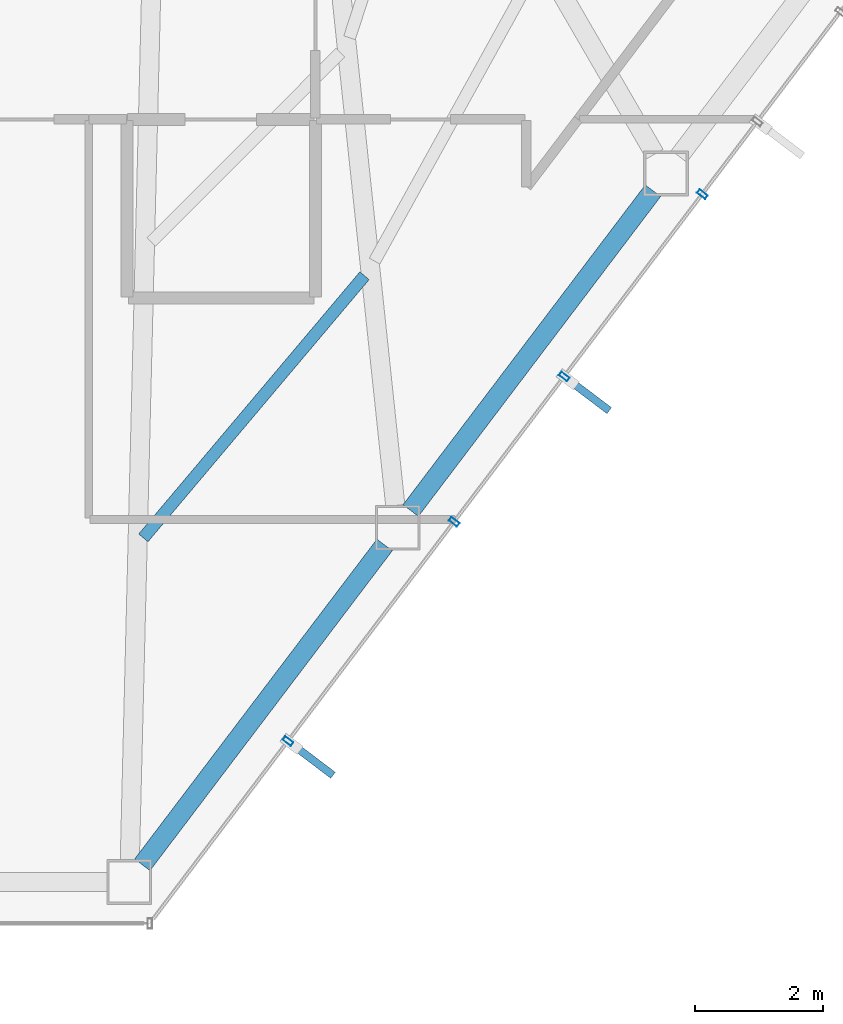
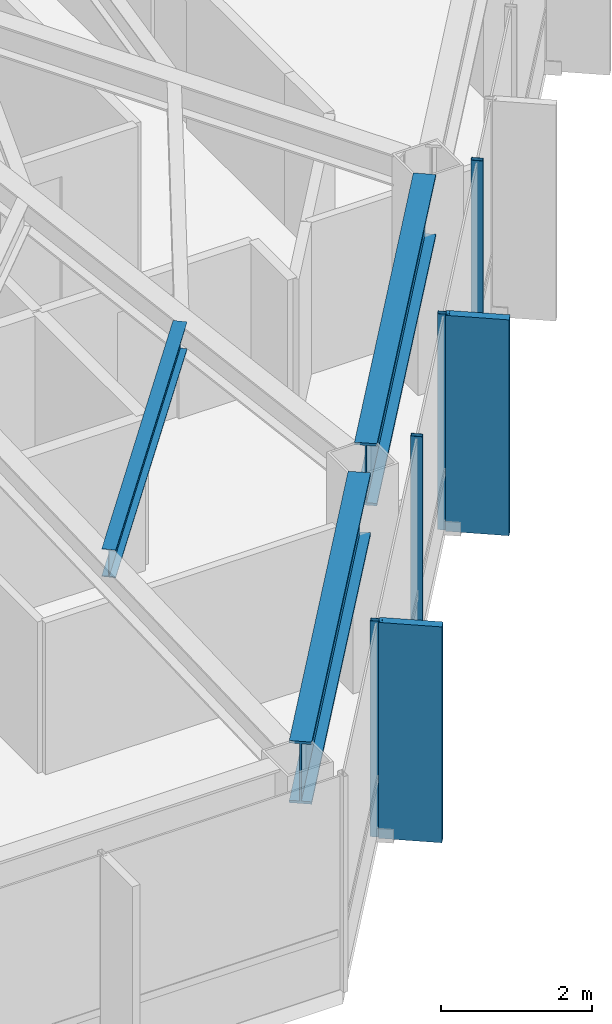
# One storey, part 16 of 27: 6 members, 3 beams, 1 element without a shape of its own.
"""IFC4 building model written with IfcOpenShell, lengths in metres."""

from ifc_helpers import new_model, si_unit, direction, frame, origin, origin_2d, place, context, subcontext, project, spatial, rectangle, hollow_rectangle, i_section, extrude, material, layer, layer_set, material_profile, profile_set, type_object, element, aggregate, save


model = new_model("IFC4")

# Units and contexts
model_context = context("Model", 3, precision=1e-05, world=origin(), true_north=direction((0.0, 1.0)))
body_context = subcontext(model_context, "Body", "Model", "MODEL_VIEW")
ifc_project = project(units=[si_unit("LENGTHUNIT", "METRE"), si_unit("AREAUNIT", "SQUARE_METRE"), si_unit("VOLUMEUNIT", "CUBIC_METRE"), si_unit("PLANEANGLEUNIT", "RADIAN"), si_unit("MASSUNIT", "GRAM", prefix="KILO")], contexts=[model_context])

# Site, building, storey
site_placement = place(None, origin())
site = spatial("IfcSite", under=ifc_project, at=site_placement, CompositionType="ELEMENT")
building_placement = place(site_placement, origin())
building = spatial("IfcBuilding", under=site, at=building_placement, Name="Zarrinselat Tower", CompositionType="ELEMENT")
storey_placement = place(building_placement, frame((0.0, 0.0, 179.52001953125)))
storey = spatial("IfcBuildingStorey", under=building, at=storey_placement, Name="L44", CompositionType="ELEMENT", Elevation=179.52001953125)

# Beams
ifc_material_1 = material(Name="Steel S460M", Category="steel")
ifc_material_profile_1 = material_profile(ifc_material_1, i_section(OverallWidth=0.302001953125, OverallDepth=1.008056640625, WebThickness=0.02099609375, FlangeThickness=0.0400390625, at=origin_2d()), Name="HEM 1000")
ifc_profile_set_1 = profile_set([ifc_material_profile_1], Name="Steel S460M")
beam_type_1 = type_object("IfcBeamType", Name="BM-HEM1000", PredefinedType="BEAM", material=ifc_profile_set_1)
beam_1_placement = place(storey_placement, frame((45.639404296875, 18.474609375, 2.99609375), z_axis=(0.603871149651, 0.797081949751, 0.0), x_axis=(-0.797081949751, 0.603871149651, 0.0)))
element("IfcBeam", 1, at=beam_1_placement, inside=storey, type_object=beam_type_1, Name="L44 Perimeter Spandrel Girder SP11", PredefinedType="BEAM", context=body_context, shape_type="SweptSolid", body=[
    extrude(i_section(OverallWidth=0.302001953125, OverallDepth=1.008056640625, WebThickness=0.02099609375, FlangeThickness=0.0400390625, at=origin_2d()), origin(), (0.0, 0.0, 1.0), 6.28515625),
])
beam_2_placement = place(storey_placement, frame((49.843017578125, 24.023193359375, 2.99609375), z_axis=(0.603840485401, 0.79710518013, 0.0), x_axis=(-0.79710518013, 0.603840485401, 0.0)))
element("IfcBeam", 2, at=beam_2_placement, inside=storey, type_object=beam_type_1, Name="L44 Perimeter Spandrel Girder SP12", PredefinedType="BEAM", context=body_context, shape_type="SweptSolid", body=[
    extrude(i_section(OverallWidth=0.302001953125, OverallDepth=1.008056640625, WebThickness=0.02099609375, FlangeThickness=0.0400390625, at=origin_2d()), origin(), (0.0, 0.0, 1.0), 6.28466796875),
])
ifc_material_2 = material(Name="Steel S355J2", Category="steel")
ifc_material_profile_2 = material_profile(ifc_material_2, i_section(OverallWidth=0.18994140625, OverallDepth=0.449951171875, WebThickness=0.009521484375, FlangeThickness=0.0146484375, at=origin_2d()), Name="IPE 450")
ifc_profile_set_2 = profile_set([ifc_material_profile_2], Name="Steel S355J2")
beam_type_2 = type_object("IfcBeamType", Name="BM-IPE450", PredefinedType="JOIST", material=ifc_profile_set_2)
beam_3_placement = place(storey_placement, frame((45.6552734375, 23.59521484375, 3.27490234375), z_axis=(0.644870109689, 0.764292183416, 0.0), x_axis=(-0.764292183416, 0.644870109689, 0.0)))
element("IfcBeam", 3, at=beam_3_placement, inside=storey, type_object=beam_type_2, Name="L44 Composite Floor Joist 3-1", PredefinedType="JOIST", context=body_context, shape_type="SweptSolid", body=[
    extrude(i_section(OverallWidth=0.18994140625, OverallDepth=0.449951171875, WebThickness=0.009521484375, FlangeThickness=0.0146484375, at=origin_2d()), origin(), (0.0, 0.0, 1.0), 5.37255859375),
])

# Curtain wall, members
ifc_material_3 = material(Name="Extruded Aluminium Alloy EN AW-6063 T6", Category="aluminium")
ifc_layer = layer(ifc_material_3, 0.175048828125)
ifc_layer_set = layer_set([ifc_layer], Name="Extruded Aluminium Alloy EN AW-6063 T6")
curtain_wall_type = type_object("IfcCurtainWallType", Name="CWS-HTL", PredefinedType="NOTDEFINED", material=ifc_layer_set)
curtain_wall_placement = place(storey_placement, origin())
curtain_wall = element("IfcCurtainWall", 4, at=curtain_wall_placement, inside=storey, type_object=curtain_wall_type, Name="L44 Unitised Curtain Wall CW-L44-E05", PredefinedType="NOTDEFINED")
ifc_material_4 = material(Name="Extruded Aluminium Alloy EN AW-6063 T6", Category="aluminium")
ifc_material_profile_3 = material_profile(ifc_material_4, hollow_rectangle(XDim=0.070068359375, YDim=0.159912109375, WallThickness=0.00390625, at=origin_2d()), Name="RHS 160x70x4")
ifc_profile_set_3 = profile_set([ifc_material_profile_3], Name="Extruded Aluminium Alloy EN AW-6063 T6")
member_type_1 = type_object("IfcMemberType", Name="MEM-CW-MUL2", PredefinedType="MULLION", material=ifc_profile_set_3)
member_1_placement = place(storey_placement, frame((47.921630859375, 20.410888671875, 0.0), z_axis=(0.0, 0.0, 1.0), x_axis=(0.603859165965, 0.797091028478, 0.0)))
member_1 = element("IfcMember", 5, at=member_1_placement, type_object=member_type_1, Name="CW-L44-E05 Mullion 1", PredefinedType="MULLION", context=body_context, shape_type="SweptSolid", body=[
    extrude(hollow_rectangle(XDim=0.070068359375, YDim=0.159912109375, WallThickness=0.00390625, at=origin_2d()), origin(), (0.0, 0.0, 1.0), 3.5),
])
member_2_placement = place(storey_placement, frame((50.5244140625, 23.846435546875, 0.0), z_axis=(0.0, 0.0, 1.0), x_axis=(0.603859165965, 0.797091028478, 0.0)))
member_2 = element("IfcMember", 6, at=member_2_placement, type_object=member_type_1, Name="CW-L44-E05 Mullion 2", PredefinedType="MULLION", context=body_context, shape_type="SweptSolid", body=[
    extrude(hollow_rectangle(XDim=0.070068359375, YDim=0.159912109375, WallThickness=0.00390625, at=origin_2d()), origin(), (0.0, 0.0, 1.0), 3.5),
])
member_3_placement = place(storey_placement, frame((52.248046875, 26.12158203125, 0.0), z_axis=(0.0, 0.0, 1.0), x_axis=(0.603859165965, 0.797091028478, 0.0)))
member_3 = element("IfcMember", 7, at=member_3_placement, type_object=member_type_1, Name="CW-L44-E05 Mullion 3", PredefinedType="MULLION", context=body_context, shape_type="SweptSolid", body=[
    extrude(hollow_rectangle(XDim=0.070068359375, YDim=0.159912109375, WallThickness=0.00390625, at=origin_2d()), origin(), (0.0, 0.0, 1.0), 3.5),
])
member_4_placement = place(storey_placement, frame((54.411376953125, 28.977294921875, 0.0), z_axis=(0.0, 0.0, 1.0), x_axis=(0.603859165965, 0.797091028478, 0.0)))
member_4 = element("IfcMember", 8, at=member_4_placement, type_object=member_type_1, Name="CW-L44-E05 Mullion 4", PredefinedType="MULLION", context=body_context, shape_type="SweptSolid", body=[
    extrude(hollow_rectangle(XDim=0.070068359375, YDim=0.159912109375, WallThickness=0.00390625, at=origin_2d()), origin(), (0.0, 0.0, 1.0), 3.5),
])
ifc_material_5 = material(Name="Honed Cream Travertine Stone", Category="masonry")
ifc_material_profile_4 = material_profile(ifc_material_5, rectangle(XDim=0.1201171875, YDim=0.85009765625, at=origin_2d()), Name="FIN 850x120")
ifc_profile_set_4 = profile_set([ifc_material_profile_4], Name="Honed Cream Travertine Stone")
member_type_2 = type_object("IfcMemberType", Name="MEM-STONE-FIN", PredefinedType="USERDEFINED", material=ifc_profile_set_4)
member_5_placement = place(storey_placement, frame((48.288330078125, 20.133056640625, 0.0), z_axis=(0.0, 0.0, 1.0), x_axis=(-0.603859165965, -0.797091028478, 0.0)))
member_5 = element("IfcMember", 9, at=member_5_placement, type_object=member_type_2, Name="L44 Stone Shading Fin CW-L44-E05-01", ObjectType="FIN", PredefinedType="USERDEFINED", context=body_context, shape_type="SweptSolid", body=[
    extrude(rectangle(XDim=0.1201171875, YDim=0.85009765625, at=origin_2d()), origin(), (0.0, 0.0, 1.0), 3.5),
])
member_6_placement = place(storey_placement, frame((52.61474609375, 25.843994140625, 0.0), z_axis=(0.0, 0.0, 1.0), x_axis=(-0.603859165965, -0.797091028478, 0.0)))
member_6 = element("IfcMember", 10, at=member_6_placement, type_object=member_type_2, Name="L44 Stone Shading Fin CW-L44-E05-03", ObjectType="FIN", PredefinedType="USERDEFINED", context=body_context, shape_type="SweptSolid", body=[
    extrude(rectangle(XDim=0.1201171875, YDim=0.85009765625, at=origin_2d()), origin(), (0.0, 0.0, 1.0), 3.5),
])
aggregate(curtain_wall, [member_1, member_5, member_2, member_3, member_6, member_4])

save(model, "model.ifc")
